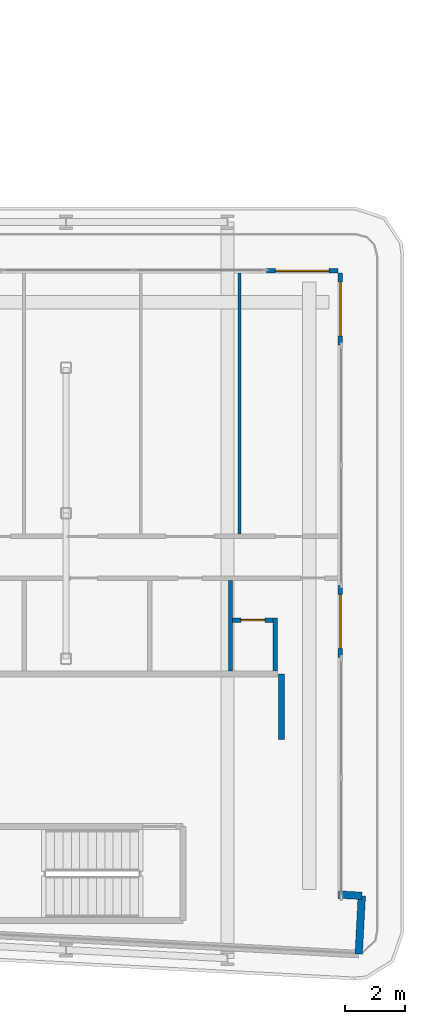
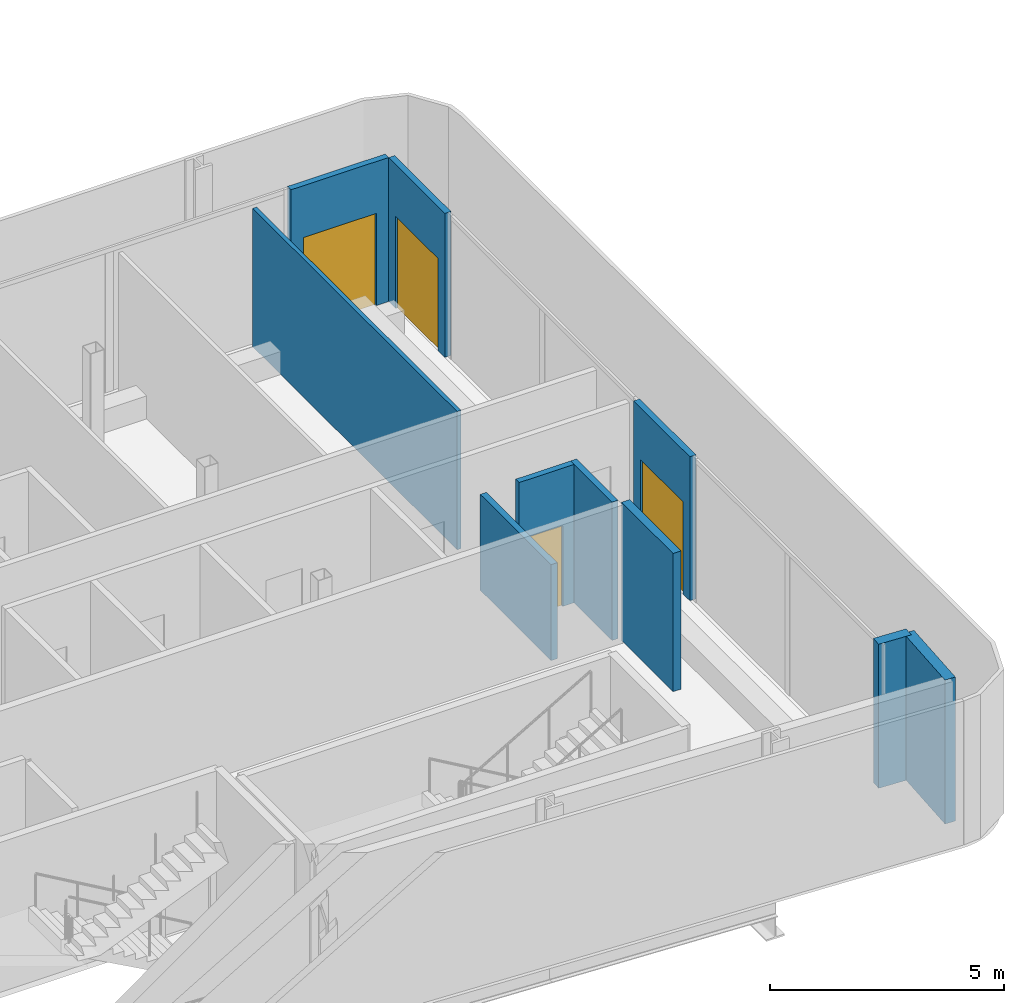
# One storey, part 18 of 27: 10 walls, 4 doors, 4 openings.
"""IFC4 building model written with IfcOpenShell, lengths in metres."""

from ifc_helpers import new_model, si_unit, direction, frame, frame_2d, origin, place, context, subcontext, project, spatial, rectangle, extrude, source, transform, mapped, material, layer, layer_set, type_object, element, fill, save


model = new_model("IFC4")

# Units and contexts
model_context = context("Model", 3, precision=1e-05, world=origin(), true_north=direction((0.0, 1.0)))
body_context = subcontext(model_context, "Body", "Model", "MODEL_VIEW")
ifc_project = project(units=[si_unit("LENGTHUNIT", "METRE"), si_unit("AREAUNIT", "SQUARE_METRE"), si_unit("VOLUMEUNIT", "CUBIC_METRE"), si_unit("PLANEANGLEUNIT", "RADIAN"), si_unit("MASSUNIT", "GRAM", prefix="KILO")], contexts=[model_context])

# Site, building, storey
site_placement = place(None, origin())
site = spatial("IfcSite", under=ifc_project, at=site_placement, CompositionType="ELEMENT")
building_placement = place(site_placement, origin())
building = spatial("IfcBuilding", under=site, at=building_placement, Name="Kheshtan School and Residences Tower", CompositionType="ELEMENT")
storey_placement = place(building_placement, frame((0.0, 0.0, 50.0)))
storey = spatial("IfcBuildingStorey", under=building, at=storey_placement, Name="L11", CompositionType="ELEMENT", Elevation=50.0)

# Walls
ifc_material_1 = material(Name="Gypsum board on steel studs with fire boards", Category="steel")
ifc_layer_1 = layer(ifc_material_1, 0.199951171875)
ifc_layer_set_1 = layer_set([ifc_layer_1], Name="Corridor wall 200")
wall_type_1 = type_object("IfcWallType", Name="Corridor wall 200", PredefinedType="PARTITIONING", material=ifc_layer_set_1)
wall_1_placement = place(storey_placement, frame((92.60009765625, 28.300048828125, 0.0), z_axis=(0.0, 0.0, 1.0), x_axis=(0.0, 1.0, 0.0)))
element("IfcWall", 1, at=wall_1_placement, inside=storey, type_object=wall_type_1, Name="Partition L11-079", PredefinedType="PARTITIONING", context=body_context, shape_type="SweptSolid", body=[
    extrude(rectangle(XDim=2.199951171875, YDim=0.199951171875, at=frame_2d((1.10009765625, 0.0))), origin(), (0.0, 0.0, 1.0), 3.60009765625),
])
ifc_material_2 = material(Name="Concrete C40/50 with ceramic cladding and mineral wool insulation", Category="concrete")
ifc_layer_2 = layer(ifc_material_2, 0.25)
ifc_layer_set_2 = layer_set([ifc_layer_2], Name="External wall 250 ceramic clad")
wall_type_2 = type_object("IfcWallType", Name="External wall 250 ceramic clad", PredefinedType="SOLIDWALL", material=ifc_layer_set_2)
wall_2_placement = place(storey_placement, frame((94.507080078125, 23.123046875, 0.0), z_axis=(0.0, 0.0, 1.0), x_axis=(0.998561284263, -0.053622398031, 0.0)))
element("IfcWall", 2, at=wall_2_placement, inside=storey, type_object=wall_type_2, Name="External wall L11 14", PredefinedType="SOLIDWALL", context=body_context, shape_type="SweptSolid", body=[
    extrude(rectangle(XDim=0.783203125, YDim=0.25, at=frame_2d((0.3916015625, 0.0))), origin(), (0.0, 0.0, 1.0), 3.75),
])
wall_3_placement = place(storey_placement, frame((95.2890625, 23.0810546875, 0.0), z_axis=(0.0, 0.0, 1.0), x_axis=(-0.052841433274, -0.998602915542, 0.0)))
element("IfcWall", 3, at=wall_3_placement, inside=storey, type_object=wall_type_2, Name="External wall L11 15", PredefinedType="SOLIDWALL", context=body_context, shape_type="SweptSolid", body=[
    extrude(rectangle(XDim=1.94970703125, YDim=0.25, at=frame_2d((0.974853515625, 0.0))), origin(), (0.0, 0.0, 1.0), 3.75),
])

# Wall, opening, door
ifc_material_3 = material(Name="Aluminium frame wall with insulated infill", Category="aluminium")
ifc_layer_3 = layer(ifc_material_3, 0.14990234375)
ifc_layer_set_3 = layer_set([ifc_layer_3], Name="Glazing frame wall 150")
wall_type_3 = type_object("IfcWallType", Name="Glazing frame wall 150", PredefinedType="SOLIDWALL", material=ifc_layer_set_3)
wall_4_placement = place(storey_placement, frame((92.10009765625, 43.97509765625, 0.0), z_axis=(0.0, 0.0, 1.0), x_axis=(1.0, 0.0, 0.0)))
wall_4 = element("IfcWall", 4, at=wall_4_placement, inside=storey, type_object=wall_type_3, Name="Balcony door wall L11 12.4", PredefinedType="SOLIDWALL", context=body_context, shape_type="SweptSolid", body=[
    extrude(rectangle(XDim=2.39990234375, YDim=0.14990234375, at=frame_2d((1.199951171875, 0.0))), origin(), (0.0, 0.0, 1.0), 3.75),
])
opening_1_placement = place(wall_4_placement, frame((0.300048828125, 0.0, 0.0)))
opening_1 = element("IfcOpeningElement", 5, at=opening_1_placement, cuts=wall_4, Name="Opening BD", PredefinedType="OPENING", context=body_context, shape_type="SweptSolid", body=[
    extrude(rectangle(XDim=1.800048828125, YDim=2.39990234375, at=frame_2d((0.89990234375, 1.199951171875))), frame((0.0, 0.0849609375, 0.0), z_axis=(0.0, -1.0, 0.0), x_axis=(1.0, 0.0, 0.0)), (0.0, 0.0, 1.0), 0.169921875),
])
ifc_material_4 = material(Name="Clear low-e glass in thermally broken aluminium frame", Category="aluminium")
door_type_1 = type_object("IfcDoorType", Name="Balcony sliding door", OperationType="SLIDING_TO_LEFT", PredefinedType="DOOR", material=ifc_material_4)
shared_shape_1 = source(origin(), body_context, "Body", "SweptSolid", [
    extrude(rectangle(XDim=1.800048828125, YDim=2.39990234375, at=frame_2d((0.89990234375, 1.199951171875))), frame((0.0, 0.02490234375, 0.0), z_axis=(0.0, -1.0, 0.0), x_axis=(1.0, 0.0, 0.0)), (0.0, 0.0, 1.0), 0.050048828125),
])
door_1_placement = place(opening_1_placement, origin())
door_1 = element("IfcDoor", 6, at=door_1_placement, inside=storey, type_object=door_type_1, Name="Balcony door L11 12.4", OperationType="SLIDING_TO_LEFT", OverallHeight=2.39990234375, OverallWidth=1.800048828125, PredefinedType="DOOR", context=body_context, shape_type="MappedRepresentation", body=[
    mapped(shared_shape_1, transform((0.0, 0.0, 0.0), x_axis=(1.0, 0.0, 0.0), y_axis=(0.0, 1.0, 0.0), z_axis=(0.0, 0.0, 1.0), scale=1.0)),
])
fill(opening_1, door_1)

wall_5_placement = place(storey_placement, frame((94.574951171875, 43.89990234375, 0.0), z_axis=(0.0, 0.0, 1.0), x_axis=(0.0, -1.0, 0.0)))
wall_5 = element("IfcWall", 7, at=wall_5_placement, inside=storey, type_object=wall_type_3, Name="Balcony door wall L11 13.1", PredefinedType="SOLIDWALL", context=body_context, shape_type="SweptSolid", body=[
    extrude(rectangle(XDim=2.39990234375, YDim=0.14990234375, at=frame_2d((1.199951171875, 0.0))), origin(), (0.0, 0.0, 1.0), 3.75),
])
opening_2_placement = place(wall_5_placement, frame((0.300048828125, 0.0, 0.0)))
opening_2 = element("IfcOpeningElement", 8, at=opening_2_placement, cuts=wall_5, Name="Opening BD", PredefinedType="OPENING", context=body_context, shape_type="SweptSolid", body=[
    extrude(rectangle(XDim=1.800048828125, YDim=2.39990234375, at=frame_2d((0.89990234375, 1.199951171875))), frame((0.0, 0.0849609375, 0.0), z_axis=(0.0, -1.0, 0.0), x_axis=(1.0, 0.0, 0.0)), (0.0, 0.0, 1.0), 0.169921875),
])
door_2_placement = place(opening_2_placement, origin())
door_2 = element("IfcDoor", 9, at=door_2_placement, inside=storey, type_object=door_type_1, Name="Balcony door L11 13.1", OperationType="SLIDING_TO_LEFT", OverallHeight=2.39990234375, OverallWidth=1.800048828125, PredefinedType="DOOR", context=body_context, shape_type="MappedRepresentation", body=[
    mapped(shared_shape_1, transform((0.0, 0.0, 0.0), x_axis=(1.0, 0.0, 0.0), y_axis=(0.0, 1.0, 0.0), z_axis=(0.0, 0.0, 1.0), scale=1.0)),
])
fill(opening_2, door_2)

wall_6_placement = place(storey_placement, frame((94.574951171875, 33.448974609375, 0.0), z_axis=(0.0, 0.0, 1.0), x_axis=(0.0, -1.0, 0.0)))
wall_6 = element("IfcWall", 10, at=wall_6_placement, inside=storey, type_object=wall_type_3, Name="Balcony door wall L11 13.2", PredefinedType="SOLIDWALL", context=body_context, shape_type="SweptSolid", body=[
    extrude(rectangle(XDim=2.39990234375, YDim=0.14990234375, at=frame_2d((1.199951171875, 0.0))), origin(), (0.0, 0.0, 1.0), 3.75),
])
opening_3_placement = place(wall_6_placement, frame((0.300048828125, 0.0, 0.0)))
opening_3 = element("IfcOpeningElement", 11, at=opening_3_placement, cuts=wall_6, Name="Opening BD", PredefinedType="OPENING", context=body_context, shape_type="SweptSolid", body=[
    extrude(rectangle(XDim=1.800048828125, YDim=2.39990234375, at=frame_2d((0.89990234375, 1.199951171875))), frame((0.0, 0.0849609375, 0.0), z_axis=(0.0, -1.0, 0.0), x_axis=(1.0, 0.0, 0.0)), (0.0, 0.0, 1.0), 0.169921875),
])
door_3_placement = place(opening_3_placement, origin())
door_3 = element("IfcDoor", 12, at=door_3_placement, inside=storey, type_object=door_type_1, Name="Balcony door L11 13.2", OperationType="SLIDING_TO_LEFT", OverallHeight=2.39990234375, OverallWidth=1.800048828125, PredefinedType="DOOR", context=body_context, shape_type="MappedRepresentation", body=[
    mapped(shared_shape_1, transform((0.0, 0.0, 0.0), x_axis=(1.0, 0.0, 0.0), y_axis=(0.0, 1.0, 0.0), z_axis=(0.0, 0.0, 1.0), scale=1.0)),
])
fill(opening_3, door_3)

# Walls
ifc_material_5 = material(Name="Gypsum board on steel studs", Category="steel")
ifc_layer_4 = layer(ifc_material_5, 0.10009765625)
ifc_layer_set_4 = layer_set([ifc_layer_4], Name="Gypsum partition 100")
wall_type_4 = type_object("IfcWallType", Name="Gypsum partition 100", PredefinedType="PARTITIONING", material=ifc_layer_set_4)
wall_7_placement = place(storey_placement, frame((91.199951171875, 35.175048828125, 0.0), z_axis=(0.0, 0.0, 1.0), x_axis=(0.0, 1.0, 0.0)))
element("IfcWall", 13, at=wall_7_placement, inside=storey, type_object=wall_type_4, Name="Partition L11-077", PredefinedType="PARTITIONING", context=body_context, shape_type="SweptSolid", body=[
    extrude(rectangle(XDim=8.724853515625, YDim=0.10009765625, at=frame_2d((4.3623046875, 0.0))), origin(), (0.0, 0.0, 1.0), 3.60009765625),
])
ifc_material_6 = material(Name="Moisture-resistant gypsum board on steel studs", Category="steel")
ifc_layer_5 = layer(ifc_material_6, 0.14990234375)
ifc_layer_set_5 = layer_set([ifc_layer_5], Name="Wet-room partition 150")
wall_type_5 = type_object("IfcWallType", Name="Wet-room partition 150", PredefinedType="PARTITIONING", material=ifc_layer_set_5)
wall_8_placement = place(storey_placement, frame((90.89990234375, 30.60009765625, 0.0), z_axis=(0.0, 0.0, 1.0), x_axis=(0.0, 1.0, 0.0)))
element("IfcWall", 14, at=wall_8_placement, inside=storey, type_object=wall_type_5, Name="Partition L11-075", PredefinedType="PARTITIONING", context=body_context, shape_type="SweptSolid", body=[
    extrude(rectangle(XDim=3.02490234375, YDim=0.14990234375, at=frame_2d((1.512451171875, 0.0))), origin(), (0.0, 0.0, 1.0), 2.5),
])

# Wall, opening, door
wall_9_placement = place(storey_placement, frame((90.97509765625, 32.300048828125, 0.0), z_axis=(0.0, 0.0, 1.0), x_axis=(1.0, 0.0, 0.0)))
wall_9 = element("IfcWall", 15, at=wall_9_placement, inside=storey, type_object=wall_type_5, Name="Partition L11-076", PredefinedType="PARTITIONING", context=body_context, shape_type="SweptSolid", body=[
    extrude(rectangle(XDim=1.349853515625, YDim=0.14990234375, at=frame_2d((0.6748046875, 0.0))), origin(), (0.0, 0.0, 1.0), 3.60009765625),
])
opening_4_placement = place(wall_9_placement, frame((0.27490234375, 0.0, 0.0)))
opening_4 = element("IfcOpeningElement", 16, at=opening_4_placement, cuts=wall_9, Name="Opening D10-022", PredefinedType="OPENING", context=body_context, shape_type="SweptSolid", body=[
    extrude(rectangle(XDim=0.800048828125, YDim=2.10009765625, at=frame_2d((0.39990234375, 1.050048828125))), frame((0.0, 0.0849609375, 0.0), z_axis=(0.0, -1.0, 0.0), x_axis=(1.0, 0.0, 0.0)), (0.0, 0.0, 1.0), 0.169921875),
])
ifc_material_7 = material(Name="Veneered timber door leaf", Category="wood")
door_type_2 = type_object("IfcDoorType", Name="Door 800 x 2100", OperationType="SINGLE_SWING_LEFT", PredefinedType="DOOR", material=ifc_material_7)
shared_shape_2 = source(origin(), body_context, "Body", "SweptSolid", [
    extrude(rectangle(XDim=0.800048828125, YDim=2.10009765625, at=frame_2d((0.39990234375, 1.050048828125))), frame((0.0, 0.02490234375, 0.0), z_axis=(0.0, -1.0, 0.0), x_axis=(1.0, 0.0, 0.0)), (0.0, 0.0, 1.0), 0.050048828125),
])
door_4_placement = place(opening_4_placement, origin())
door_4 = element("IfcDoor", 17, at=door_4_placement, inside=storey, type_object=door_type_2, Name="Door D10-022", OperationType="SINGLE_SWING_RIGHT", OverallHeight=2.10009765625, OverallWidth=0.800048828125, PredefinedType="DOOR", context=body_context, shape_type="MappedRepresentation", body=[
    mapped(shared_shape_2, transform((0.0, 0.0, 0.0), x_axis=(1.0, 0.0, 0.0), y_axis=(0.0, 1.0, 0.0), z_axis=(0.0, 0.0, 1.0), scale=1.0)),
])
fill(opening_4, door_4)

# Wall
wall_10_placement = place(storey_placement, frame((92.39990234375, 30.60009765625, 0.0), z_axis=(0.0, 0.0, 1.0), x_axis=(0.0, 1.0, 0.0)))
element("IfcWall", 18, at=wall_10_placement, inside=storey, type_object=wall_type_5, Name="Partition L11-078", PredefinedType="PARTITIONING", context=body_context, shape_type="SweptSolid", body=[
    extrude(rectangle(XDim=1.77490234375, YDim=0.14990234375, at=frame_2d((0.887451171875, 0.0))), origin(), (0.0, 0.0, 1.0), 3.60009765625),
])

save(model, "model.ifc")
